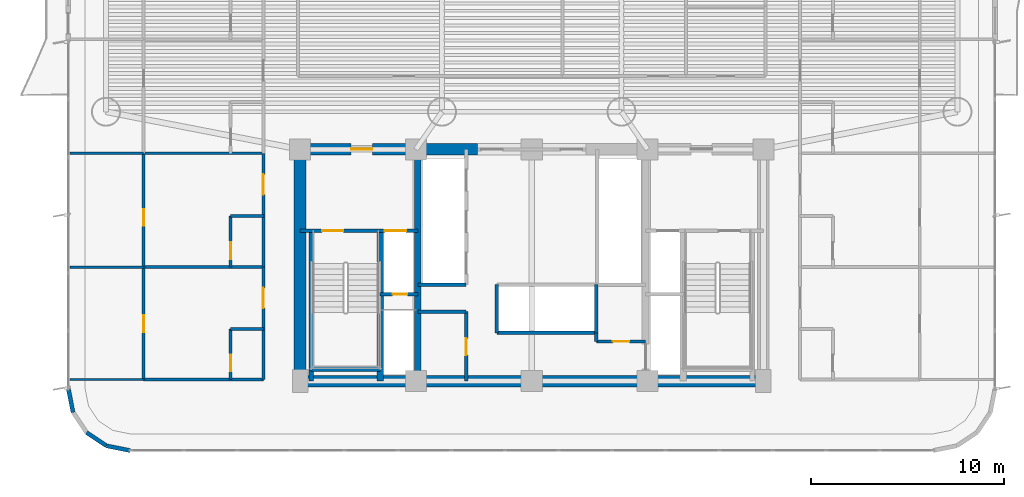
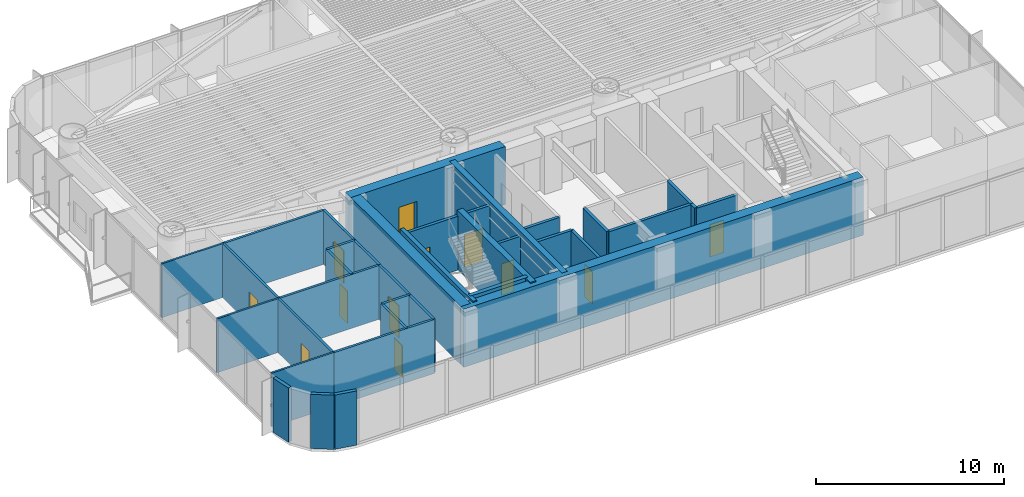
# One storey, part 10 of 18: 36 walls, 12 doors, 12 openings.
"""IFC4 building model written with IfcOpenShell, lengths in metres."""

from ifc_helpers import new_model, si_unit, direction, frame, frame_2d, origin, origin_2d, place, context, subcontext, project, spatial, rectangle, extrude, source, transform, mapped, material, layer, layer_set, type_object, element, fill, save


model = new_model("IFC4")

# Units and contexts
model_context = context("Model", 3, precision=1e-05, world=origin(), true_north=direction((0.0, 1.0)))
body_context = subcontext(model_context, "Body", "Model", "MODEL_VIEW")
ifc_project = project(units=[si_unit("LENGTHUNIT", "METRE"), si_unit("AREAUNIT", "SQUARE_METRE"), si_unit("VOLUMEUNIT", "CUBIC_METRE"), si_unit("PLANEANGLEUNIT", "RADIAN"), si_unit("MASSUNIT", "GRAM", prefix="KILO")], contexts=[model_context])

# Site, building, storey
site_placement = place(None, origin())
site = spatial("IfcSite", under=ifc_project, at=site_placement, CompositionType="ELEMENT")
building_placement = place(site_placement, origin())
building = spatial("IfcBuilding", under=site, at=building_placement, Name="Brelvock Crest Care Tower", CompositionType="ELEMENT")
storey_placement = place(building_placement, frame((0.0, 0.0, 38.340087890625)))
storey = spatial("IfcBuildingStorey", under=building, at=storey_placement, Name="L09", CompositionType="ELEMENT", Elevation=38.340087890625)

# Walls
ifc_material_1 = material(Name="Concrete S80 (80 MPa)", Category="concrete")
ifc_layer_1 = layer(ifc_material_1, 0.60009765625, Name="WL-CS1")
ifc_layer_set_1 = layer_set([ifc_layer_1], Name="Concrete S80 (80 MPa)")
wall_type_1 = type_object("IfcWallType", Name="WL-CS1", PredefinedType="SHEAR", material=ifc_layer_set_1)
wall_1_placement = place(storey_placement, frame((48.300048828125, 6.0, 0.0), z_axis=(0.0, 0.0, 1.0), x_axis=(-1.0, 0.0, 0.0)))
element("IfcWall", 1, at=wall_1_placement, inside=storey, type_object=wall_type_1, Name="L09 Core South Shear Wall", PredefinedType="SHEAR", context=body_context, shape_type="SweptSolid", body=[
    extrude(rectangle(XDim=24.60009765625, YDim=0.60009765625, at=frame_2d((12.300048828125, 0.0))), origin(), (0.0, 0.0, 1.0), 3.780029296875),
])
wall_2_placement = place(storey_placement, frame((24.0, 6.0, 0.0), z_axis=(0.0, 0.0, 1.0), x_axis=(0.0, 1.0, 0.0)))
element("IfcWall", 2, at=wall_2_placement, inside=storey, type_object=wall_type_1, Name="L09 Core West Shear Wall", PredefinedType="SHEAR", context=body_context, shape_type="SweptSolid", body=[
    extrude(rectangle(XDim=12.0, YDim=0.60009765625, at=frame_2d((6.0, 0.0))), origin(), (0.0, 0.0, 1.0), 3.780029296875),
])

# Wall, opening, door
wall_3_placement = place(storey_placement, frame((23.699951171875, 18.0, 0.0), z_axis=(0.0, 0.0, 1.0), x_axis=(1.0, 0.0, 0.0)))
wall_3 = element("IfcWall", 3, at=wall_3_placement, inside=storey, type_object=wall_type_1, Name="L09 Core North-West Shear Wall", PredefinedType="SHEAR", context=body_context, shape_type="SweptSolid", body=[
    extrude(rectangle(XDim=9.5, YDim=0.60009765625, at=frame_2d((4.75, 0.0))), origin(), (0.0, 0.0, 1.0), 3.780029296875),
])
opening_1_placement = place(wall_3_placement, frame((2.949951171875, 0.0, 0.0)))
opening_1 = element("IfcOpeningElement", 4, at=opening_1_placement, cuts=wall_3, Name="Opening FD-1", PredefinedType="OPENING", context=body_context, shape_type="SweptSolid", body=[
    extrude(rectangle(XDim=1.10009765625, YDim=2.10009765625, at=origin_2d()), frame((0.550048828125, 0.31005859375, 1.050048828125), z_axis=(0.0, -1.0, 0.0), x_axis=(1.0, 0.0, 0.0)), (0.0, 0.0, 1.0), 0.6201171875),
])
ifc_material_2 = material(Name="Steel Grade 350", Category="steel")
door_type_1 = type_object("IfcDoorType", Name="DR-FFL1", OperationType="NOTDEFINED", PredefinedType="DOOR", material=ifc_material_2)
shared_shape_1 = source(origin(), body_context, "Body", "SweptSolid", [
    extrude(rectangle(XDim=1.10009765625, YDim=2.10009765625, at=origin_2d()), frame((0.550048828125, 0.02490234375, 1.050048828125), z_axis=(0.0, -1.0, 0.0), x_axis=(1.0, 0.0, 0.0)), (0.0, 0.0, 1.0), 0.050048828125),
])
door_1_placement = place(opening_1_placement, origin())
door_1 = element("IfcDoor", 5, at=door_1_placement, inside=storey, type_object=door_type_1, Name="L09 Firefighting Lobby FFL-1 Exit Door", OperationType="SINGLE_SWING_LEFT", OverallHeight=2.10009765625, OverallWidth=1.10009765625, PredefinedType="DOOR", context=body_context, shape_type="MappedRepresentation", body=[
    mapped(shared_shape_1, transform((0.0, 0.0, 0.0), x_axis=(1.0, 0.0, 0.0), y_axis=(0.0, 1.0, 0.0), z_axis=(0.0, 0.0, 1.0), scale=1.0)),
])
fill(opening_1, door_1)

# Walls
ifc_layer_2 = layer(ifc_material_1, 0.35009765625, Name="WL-CS5")
ifc_layer_set_2 = layer_set([ifc_layer_2], Name="Concrete S80 (80 MPa)")
wall_type_2 = type_object("IfcWallType", Name="WL-CS5", PredefinedType="SHEAR", material=ifc_layer_set_2)
wall_4_placement = place(storey_placement, frame((30.10009765625, 6.0, 0.0), z_axis=(0.0, 0.0, 1.0), x_axis=(0.0, 1.0, 0.0)))
element("IfcWall", 6, at=wall_4_placement, inside=storey, type_object=wall_type_2, Name="L09 Core Internal Web Wall West", PredefinedType="SHEAR", context=body_context, shape_type="SweptSolid", body=[
    extrude(rectangle(XDim=12.0, YDim=0.35009765625, at=frame_2d((6.0, 0.0))), origin(), (0.0, 0.0, 1.0), 3.780029296875),
])
wall_5_placement = place(storey_placement, frame((28.14990234375, 6.0, 0.0), z_axis=(0.0, 0.0, 1.0), x_axis=(0.0, 1.0, 0.0)))
element("IfcWall", 7, at=wall_5_placement, inside=storey, type_object=wall_type_2, Name="L09 Core Stair ST-1 East Shear Wall", PredefinedType="SHEAR", context=body_context, shape_type="SweptSolid", body=[
    extrude(rectangle(XDim=7.780029296875, YDim=0.35009765625, at=frame_2d((3.89013671875, 0.0))), origin(), (0.0, 0.0, 1.0), 3.849853515625),
])
ifc_layer_3 = layer(ifc_material_1, 0.25, Name="WL-CS6")
ifc_layer_set_3 = layer_set([ifc_layer_3], Name="Concrete S80 (80 MPa)")
wall_type_3 = type_object("IfcWallType", Name="WL-CS6", PredefinedType="SHEAR", material=ifc_layer_set_3)
wall_6_placement = place(storey_placement, frame((24.580078125, 6.0, 0.0), z_axis=(0.0, 0.0, 1.0), x_axis=(0.0, 1.0, 0.0)))
element("IfcWall", 8, at=wall_6_placement, inside=storey, type_object=wall_type_3, Name="L09 Core Stair ST-1 West Shear Wall", PredefinedType="SHEAR", context=body_context, shape_type="SweptSolid", body=[
    extrude(rectangle(XDim=7.780029296875, YDim=0.25, at=frame_2d((3.89013671875, 0.0))), origin(), (0.0, 0.0, 1.0), 3.849853515625),
])
wall_7_placement = place(storey_placement, frame((24.580078125, 6.6201171875, 0.0), z_axis=(0.0, 0.0, 1.0), x_axis=(1.0, 0.0, 0.0)))
element("IfcWall", 9, at=wall_7_placement, inside=storey, type_object=wall_type_3, Name="L09 Core Stair ST-1 South Shear Wall", PredefinedType="SHEAR", context=body_context, shape_type="SweptSolid", body=[
    extrude(rectangle(XDim=3.56982421875, YDim=0.25, at=frame_2d((1.784912109375, 0.0))), origin(), (0.0, 0.0, 1.0), 3.849853515625),
])
ifc_material_3 = material(Name="Precast concrete N40 (40 MPa)", Category="concrete")
ifc_layer_4 = layer(ifc_material_3, 0.215087890625, Name="WL-EX2")
ifc_layer_set_4 = layer_set([ifc_layer_4], Name="Precast concrete N40 (40 MPa)")
wall_type_4 = type_object("IfcWallType", Name="WL-EX2", PredefinedType="SOLIDWALL", material=ifc_layer_set_4)
for number, where, z_axis, x_axis, name in (
    (10, (15.199951171875, 2.39990234375, 0.0), (0.0, 0.0, 1.0), (-0.980775717779, 0.195138390419, 0.0), "L09 Rounded Corner Wall 09"),
    (11, (13.975341796875, 2.6435546875, 0.0), (0.0, 0.0, 1.0), (-0.831387912822, 0.555692485475, 0.0), "L09 Rounded Corner Wall 10"),
    (12, (12.24365234375, 4.37548828125, 0.0), (0.0, 0.0, 1.0), (-0.195138390419, 0.980775717779, 0.0), "L09 Rounded Corner Wall 12"),
):
    element("IfcWall", number, at=place(storey_placement, frame(where, z_axis=z_axis, x_axis=x_axis)), inside=storey, type_object=wall_type_4, Name=name, PredefinedType="SOLIDWALL", context=body_context, shape_type="SweptSolid", body=[
        extrude(rectangle(XDim=1.24853515625, YDim=0.215087890625, at=frame_2d((0.624267578125, 0.0))), origin(), (0.0, 0.0, 1.0), 3.530029296875),
    ])
ifc_material_4 = material(Name="Masonry Blockwork Acoustic Partition", Category="masonry")
ifc_layer_5 = layer(ifc_material_4, 0.14990234375, Name="WL-INT1")
ifc_layer_set_5 = layer_set([ifc_layer_5], Name="Masonry Blockwork Acoustic Partition")
wall_type_5 = type_object("IfcWallType", Name="WL-INT1", PredefinedType="PARTITIONING", material=ifc_layer_set_5)
for number, where, z_axis, x_axis, name in (
    (13, (15.89990234375, 6.080078125, 0.0), (0.0, 0.0, 1.0), (1.0, 0.0, 0.0), "L09 Interior Wall WL-BX-L09-CS-WC1-S"),
    (14, (15.89990234375, 11.89990234375, 0.0), (0.0, 0.0, 1.0), (1.0, 0.0, 0.0), "L09 Interior Wall WL-BX-L09-CS-WC1-N"),
    (15, (15.89990234375, 17.800048828125, 0.0), (0.0, 0.0, 1.0), (1.0, 0.0, 0.0), "L09 Interior Wall WL-BX-L09-CS-WC2-N"),
):
    element("IfcWall", number, at=place(storey_placement, frame(where, z_axis=z_axis, x_axis=x_axis)), inside=storey, type_object=wall_type_5, Name=name, PredefinedType="PARTITIONING", context=body_context, shape_type="SweptSolid", body=[
        extrude(rectangle(XDim=6.2001953125, YDim=0.14990234375, at=frame_2d((3.10009765625, 0.0))), origin(), (0.0, 0.0, 1.0), 3.5),
    ])

# Wall, opening, door
wall_8_placement = place(storey_placement, frame((15.89990234375, 6.080078125, 0.0), z_axis=(0.0, 0.0, 1.0), x_axis=(0.0, 1.0, 0.0)))
wall_8 = element("IfcWall", 16, at=wall_8_placement, inside=storey, type_object=wall_type_5, Name="L09 Interior Wall WL-RM-L09-WC1S", PredefinedType="PARTITIONING", context=body_context, shape_type="SweptSolid", body=[
    extrude(rectangle(XDim=5.81982421875, YDim=0.14990234375, at=frame_2d((2.909912109375, 0.0))), origin(), (0.0, 0.0, 1.0), 3.5),
])
opening_2_placement = place(wall_8_placement, frame((2.4599609375, 0.0, 0.0)))
opening_2 = element("IfcOpeningElement", 17, at=opening_2_placement, cuts=wall_8, Name="Opening ID-1", PredefinedType="OPENING", context=body_context, shape_type="SweptSolid", body=[
    extrude(rectangle(XDim=0.860107421875, YDim=2.10009765625, at=origin_2d()), frame((0.43017578125, 0.0849609375, 1.050048828125), z_axis=(0.0, -1.0, 0.0), x_axis=(1.0, 0.0, 0.0)), (0.0, 0.0, 1.0), 0.169921875),
])
ifc_material_5 = material(Name="Engineered Hardwood Timber", Category="wood")
door_type_2 = type_object("IfcDoorType", Name="DR-INT1", OperationType="NOTDEFINED", PredefinedType="DOOR", material=ifc_material_5)
shared_shape_2 = source(origin(), body_context, "Body", "SweptSolid", [
    extrude(rectangle(XDim=0.860107421875, YDim=2.10009765625, at=origin_2d()), frame((0.43017578125, 0.02490234375, 1.050048828125), z_axis=(0.0, -1.0, 0.0), x_axis=(1.0, 0.0, 0.0)), (0.0, 0.0, 1.0), 0.050048828125),
])
door_2_placement = place(opening_2_placement, origin())
door_2 = element("IfcDoor", 18, at=door_2_placement, inside=storey, type_object=door_type_2, Name="L09 Assisted Care Mobility Store Door WC1S", OperationType="SINGLE_SWING_LEFT", OverallHeight=2.10009765625, OverallWidth=0.860107421875, PredefinedType="DOOR", context=body_context, shape_type="MappedRepresentation", body=[
    mapped(shared_shape_2, transform((0.0, 0.0, 0.0), x_axis=(1.0, 0.0, 0.0), y_axis=(0.0, 1.0, 0.0), z_axis=(0.0, 0.0, 1.0), scale=1.0)),
])
fill(opening_2, door_2)

wall_9_placement = place(storey_placement, frame((15.89990234375, 11.89990234375, 0.0), z_axis=(0.0, 0.0, 1.0), x_axis=(0.0, 1.0, 0.0)))
wall_9 = element("IfcWall", 19, at=wall_9_placement, inside=storey, type_object=wall_type_5, Name="L09 Interior Wall WL-RM-L09-WC2S", PredefinedType="PARTITIONING", context=body_context, shape_type="SweptSolid", body=[
    extrude(rectangle(XDim=5.900146484375, YDim=0.14990234375, at=frame_2d((2.9501953125, 0.0))), origin(), (0.0, 0.0, 1.0), 3.5),
])
opening_3_placement = place(wall_9_placement, frame((2.139892578125, 0.0, 0.0)))
opening_3 = element("IfcOpeningElement", 20, at=opening_3_placement, cuts=wall_9, Name="Opening ID-1", PredefinedType="OPENING", context=body_context, shape_type="SweptSolid", body=[
    extrude(rectangle(XDim=0.860107421875, YDim=2.10009765625, at=origin_2d()), frame((0.43017578125, 0.0849609375, 1.050048828125), z_axis=(0.0, -1.0, 0.0), x_axis=(1.0, 0.0, 0.0)), (0.0, 0.0, 1.0), 0.169921875),
])
door_3_placement = place(opening_3_placement, origin())
door_3 = element("IfcDoor", 21, at=door_3_placement, inside=storey, type_object=door_type_2, Name="L09 Assisted Care Mobility Store Door WC2S", OperationType="SINGLE_SWING_LEFT", OverallHeight=2.10009765625, OverallWidth=0.860107421875, PredefinedType="DOOR", context=body_context, shape_type="MappedRepresentation", body=[
    mapped(shared_shape_2, transform((0.0, 0.0, 0.0), x_axis=(1.0, 0.0, 0.0), y_axis=(0.0, 1.0, 0.0), z_axis=(0.0, 0.0, 1.0), scale=1.0)),
])
fill(opening_3, door_3)

wall_10_placement = place(storey_placement, frame((22.10009765625, 8.698974609375, 0.0), z_axis=(0.0, 0.0, 1.0), x_axis=(0.0, 1.0, 0.0)))
wall_10 = element("IfcWall", 22, at=wall_10_placement, inside=storey, type_object=wall_type_5, Name="L09 Interior Wall WL-CENT-L09-WC1", PredefinedType="PARTITIONING", context=body_context, shape_type="SweptSolid", body=[
    extrude(rectangle(XDim=3.200927734375, YDim=0.14990234375, at=frame_2d((1.6005859375, 0.0))), origin(), (0.0, 0.0, 1.0), 3.5),
])
opening_4_placement = place(wall_10_placement, frame((1.0810546875, 0.0, 0.0)))
opening_4 = element("IfcOpeningElement", 23, at=opening_4_placement, cuts=wall_10, Name="Opening CD-1", PredefinedType="OPENING", context=body_context, shape_type="SweptSolid", body=[
    extrude(rectangle(XDim=1.050048828125, YDim=2.10009765625, at=origin_2d()), frame((0.52490234375, 0.0849609375, 1.050048828125), z_axis=(0.0, -1.0, 0.0), x_axis=(1.0, 0.0, 0.0)), (0.0, 0.0, 1.0), 0.169921875),
])
door_type_3 = type_object("IfcDoorType", Name="DR-CARE1", OperationType="NOTDEFINED", PredefinedType="DOOR", material=ifc_material_5)
shared_shape_3 = source(origin(), body_context, "Body", "SweptSolid", [
    extrude(rectangle(XDim=1.050048828125, YDim=2.10009765625, at=origin_2d()), frame((0.52490234375, 0.02490234375, 1.050048828125), z_axis=(0.0, -1.0, 0.0), x_axis=(1.0, 0.0, 0.0)), (0.0, 0.0, 1.0), 0.050048828125),
])
door_4_placement = place(opening_4_placement, origin())
door_4 = element("IfcDoor", 24, at=door_4_placement, inside=storey, type_object=door_type_3, Name="L09 Care Suite Door WC1", OperationType="SINGLE_SWING_LEFT", OverallHeight=2.10009765625, OverallWidth=1.050048828125, PredefinedType="DOOR", context=body_context, shape_type="MappedRepresentation", body=[
    mapped(shared_shape_3, transform((0.0, 0.0, 0.0), x_axis=(1.0, 0.0, 0.0), y_axis=(0.0, 1.0, 0.0), z_axis=(0.0, 0.0, 1.0), scale=1.0)),
])
fill(opening_4, door_4)

wall_11_placement = place(storey_placement, frame((22.10009765625, 14.554931640625, 0.0), z_axis=(0.0, 0.0, 1.0), x_axis=(0.0, 1.0, 0.0)))
wall_11 = element("IfcWall", 25, at=wall_11_placement, inside=storey, type_object=wall_type_5, Name="L09 Interior Wall WL-CENT-L09-WC2", PredefinedType="PARTITIONING", context=body_context, shape_type="SweptSolid", body=[
    extrude(rectangle(XDim=3.2451171875, YDim=0.14990234375, at=frame_2d((1.62255859375, 0.0))), origin(), (0.0, 0.0, 1.0), 3.5),
])
opening_5_placement = place(wall_11_placement, frame((1.10302734375, 0.0, 0.0)))
opening_5 = element("IfcOpeningElement", 26, at=opening_5_placement, cuts=wall_11, Name="Opening CD-1", PredefinedType="OPENING", context=body_context, shape_type="SweptSolid", body=[
    extrude(rectangle(XDim=1.050048828125, YDim=2.10009765625, at=origin_2d()), frame((0.52490234375, 0.0849609375, 1.050048828125), z_axis=(0.0, -1.0, 0.0), x_axis=(1.0, 0.0, 0.0)), (0.0, 0.0, 1.0), 0.169921875),
])
door_5_placement = place(opening_5_placement, origin())
door_5 = element("IfcDoor", 27, at=door_5_placement, inside=storey, type_object=door_type_3, Name="L09 Care Suite Door WC2", OperationType="SINGLE_SWING_LEFT", OverallHeight=2.10009765625, OverallWidth=1.050048828125, PredefinedType="DOOR", context=body_context, shape_type="MappedRepresentation", body=[
    mapped(shared_shape_3, transform((0.0, 0.0, 0.0), x_axis=(1.0, 0.0, 0.0), y_axis=(0.0, 1.0, 0.0), z_axis=(0.0, 0.0, 1.0), scale=1.0)),
])
fill(opening_5, door_5)

# Walls
ifc_material_6 = material(Name="Gypsum Plasterboard Partition", Category="gypsum")
ifc_layer_6 = layer(ifc_material_6, 0.1201171875, Name="WL-INT2")
ifc_layer_set_6 = layer_set([ifc_layer_6], Name="Gypsum Plasterboard Partition")
wall_type_6 = type_object("IfcWallType", Name="WL-INT2", PredefinedType="PARTITIONING", material=ifc_layer_set_6)
for number, where, z_axis, x_axis, name in (
    (28, (12.080078125, 6.080078125, 0.0), (0.0, 0.0, 1.0), (1.0, 0.0, 0.0), "L09 Interior Wall WL-BX-L09-WC1S-S"),
    (29, (12.080078125, 11.89990234375, 0.0), (0.0, 0.0, 1.0), (1.0, 0.0, 0.0), "L09 Interior Wall WL-BX-L09-WC1S-N"),
    (30, (12.080078125, 17.800048828125, 0.0), (0.0, 0.0, 1.0), (1.0, 0.0, 0.0), "L09 Interior Wall WL-BX-L09-WC2S-N"),
):
    element("IfcWall", number, at=place(storey_placement, frame(where, z_axis=z_axis, x_axis=x_axis)), inside=storey, type_object=wall_type_6, Name=name, PredefinedType="PARTITIONING", context=body_context, shape_type="SweptSolid", body=[
        extrude(rectangle(XDim=3.81982421875, YDim=0.1201171875, at=frame_2d((1.909912109375, 0.0))), origin(), (0.0, 0.0, 1.0), 3.5),
    ])
ifc_layer_7 = layer(ifc_material_6, 0.159912109375, Name="WL-PLM1")
ifc_layer_set_7 = layer_set([ifc_layer_7], Name="Gypsum Plasterboard Partition")
wall_type_7 = type_object("IfcWallType", Name="WL-PLM1", PredefinedType="PLUMBINGWALL", material=ifc_layer_set_7)
for number, where, z_axis, x_axis, name in (
    (31, (20.39990234375, 8.698974609375, 0.0), (0.0, 0.0, 1.0), (1.0, 0.0, 0.0), "L09 Interior Wall WL-CENS2-L09-WC1"),
    (32, (20.39990234375, 14.554931640625, 0.0), (0.0, 0.0, 1.0), (1.0, 0.0, 0.0), "L09 Interior Wall WL-CENS2-L09-WC2"),
):
    element("IfcWall", number, at=place(storey_placement, frame(where, z_axis=z_axis, x_axis=x_axis)), inside=storey, type_object=wall_type_7, Name=name, PredefinedType="PLUMBINGWALL", context=body_context, shape_type="SweptSolid", body=[
        extrude(rectangle(XDim=1.7001953125, YDim=0.159912109375, at=frame_2d((0.85009765625, 0.0))), origin(), (0.0, 0.0, 1.0), 3.5),
    ])

# Wall, opening, door
wall_12_placement = place(storey_placement, frame((20.39990234375, 6.080078125, 0.0), z_axis=(0.0, 0.0, 1.0), x_axis=(0.0, 1.0, 0.0)))
wall_12 = element("IfcWall", 33, at=wall_12_placement, inside=storey, type_object=wall_type_7, Name="L09 Interior Wall WL-CENS1-L09-WC1", PredefinedType="PLUMBINGWALL", context=body_context, shape_type="SweptSolid", body=[
    extrude(rectangle(XDim=2.618896484375, YDim=0.159912109375, at=frame_2d((1.3095703125, 0.0))), origin(), (0.0, 0.0, 1.0), 3.5),
])
opening_6_placement = place(wall_12_placement, frame((0.419921875, 0.0, 0.0)))
opening_6 = element("IfcOpeningElement", 34, at=opening_6_placement, cuts=wall_12, Name="Opening WD-1", PredefinedType="OPENING", context=body_context, shape_type="SweptSolid", body=[
    extrude(rectangle(XDim=0.860107421875, YDim=2.10009765625, at=origin_2d()), frame((0.43017578125, 0.08984375, 1.050048828125), z_axis=(0.0, -1.0, 0.0), x_axis=(1.0, 0.0, 0.0)), (0.0, 0.0, 1.0), 0.179931640625),
])
door_type_4 = type_object("IfcDoorType", Name="DR-WC1", OperationType="NOTDEFINED", PredefinedType="DOOR", material=ifc_material_5)
shared_shape_4 = source(origin(), body_context, "Body", "SweptSolid", [
    extrude(rectangle(XDim=0.860107421875, YDim=2.10009765625, at=origin_2d()), frame((0.43017578125, 0.02490234375, 1.050048828125), z_axis=(0.0, -1.0, 0.0), x_axis=(1.0, 0.0, 0.0)), (0.0, 0.0, 1.0), 0.050048828125),
])
door_6_placement = place(opening_6_placement, origin())
door_6 = element("IfcDoor", 35, at=door_6_placement, inside=storey, type_object=door_type_4, Name="L09 Care En-Suite Door WC1", OperationType="SINGLE_SWING_LEFT", OverallHeight=2.10009765625, OverallWidth=0.860107421875, PredefinedType="DOOR", context=body_context, shape_type="MappedRepresentation", body=[
    mapped(shared_shape_4, transform((0.0, 0.0, 0.0), x_axis=(1.0, 0.0, 0.0), y_axis=(0.0, 1.0, 0.0), z_axis=(0.0, 0.0, 1.0), scale=1.0)),
])
fill(opening_6, door_6)

wall_13_placement = place(storey_placement, frame((20.39990234375, 11.89990234375, 0.0), z_axis=(0.0, 0.0, 1.0), x_axis=(0.0, 1.0, 0.0)))
wall_13 = element("IfcWall", 36, at=wall_13_placement, inside=storey, type_object=wall_type_7, Name="L09 Interior Wall WL-CENS1-L09-WC2", PredefinedType="PLUMBINGWALL", context=body_context, shape_type="SweptSolid", body=[
    extrude(rectangle(XDim=2.655029296875, YDim=0.159912109375, at=frame_2d((1.32763671875, 0.0))), origin(), (0.0, 0.0, 1.0), 3.5),
])
opening_7_placement = place(wall_13_placement, frame((0.419921875, 0.0, 0.0)))
opening_7 = element("IfcOpeningElement", 37, at=opening_7_placement, cuts=wall_13, Name="Opening WD-1", PredefinedType="OPENING", context=body_context, shape_type="SweptSolid", body=[
    extrude(rectangle(XDim=0.860107421875, YDim=2.10009765625, at=origin_2d()), frame((0.43017578125, 0.08984375, 1.050048828125), z_axis=(0.0, -1.0, 0.0), x_axis=(1.0, 0.0, 0.0)), (0.0, 0.0, 1.0), 0.179931640625),
])
door_7_placement = place(opening_7_placement, origin())
door_7 = element("IfcDoor", 38, at=door_7_placement, inside=storey, type_object=door_type_4, Name="L09 Care En-Suite Door WC2", OperationType="SINGLE_SWING_LEFT", OverallHeight=2.10009765625, OverallWidth=0.860107421875, PredefinedType="DOOR", context=body_context, shape_type="MappedRepresentation", body=[
    mapped(shared_shape_4, transform((0.0, 0.0, 0.0), x_axis=(1.0, 0.0, 0.0), y_axis=(0.0, 1.0, 0.0), z_axis=(0.0, 0.0, 1.0), scale=1.0)),
])
fill(opening_7, door_7)

# Walls
wall_14_placement = place(storey_placement, frame((22.10009765625, 6.080078125, 0.0), z_axis=(0.0, 0.0, 1.0), x_axis=(0.0, 1.0, 0.0)))
element("IfcWall", 39, at=wall_14_placement, inside=storey, type_object=wall_type_7, Name="L09 Interior Wall WL-CENS0-L09-WC1", PredefinedType="PLUMBINGWALL", context=body_context, shape_type="SweptSolid", body=[
    extrude(rectangle(XDim=2.618896484375, YDim=0.159912109375, at=frame_2d((1.3095703125, 0.0))), origin(), (0.0, 0.0, 1.0), 3.5),
])
wall_15_placement = place(storey_placement, frame((22.10009765625, 11.89990234375, 0.0), z_axis=(0.0, 0.0, 1.0), x_axis=(0.0, 1.0, 0.0)))
element("IfcWall", 40, at=wall_15_placement, inside=storey, type_object=wall_type_7, Name="L09 Interior Wall WL-CENS0-L09-WC2", PredefinedType="PLUMBINGWALL", context=body_context, shape_type="SweptSolid", body=[
    extrude(rectangle(XDim=2.655029296875, YDim=0.159912109375, at=frame_2d((1.32763671875, 0.0))), origin(), (0.0, 0.0, 1.0), 3.5),
])
ifc_layer_8 = layer(ifc_material_4, 0.179931640625, Name="WL-SHF1")
ifc_layer_set_8 = layer_set([ifc_layer_8], Name="Masonry Blockwork Acoustic Partition")
wall_type_8 = type_object("IfcWallType", Name="WL-SHF1", PredefinedType="PARTITIONING", material=ifc_layer_set_8)
wall_16_placement = place(storey_placement, frame((34.199951171875, 8.5, 0.0), z_axis=(0.0, 0.0, 1.0), x_axis=(1.0, 0.0, 0.0)))
element("IfcWall", 41, at=wall_16_placement, inside=storey, type_object=wall_type_8, Name="L09 Interior Wall WL-PLM-S-L09", PredefinedType="PARTITIONING", context=body_context, shape_type="SweptSolid", body=[
    extrude(rectangle(XDim=5.150146484375, YDim=0.179931640625, at=frame_2d((2.5751953125, 0.0))), origin(), (0.0, 0.0, 1.0), 3.5),
])
for number, where, z_axis, x_axis, name in (
    (42, (34.199951171875, 8.5, 0.0), (0.0, 0.0, 1.0), (0.0, 1.0, 0.0), "L09 Interior Wall WL-PLM-W-L09"),
    (43, (39.35009765625, 8.5, 0.0), (0.0, 0.0, 1.0), (0.0, 1.0, 0.0), "L09 Interior Wall WL-PLM-E-L09"),
    (44, (30.10009765625, 10.97998046875, 0.0), (0.0, 0.0, 1.0), (1.0, 0.0, 0.0), "L09 Interior Wall WL-CSBW-N-L09"),
    (45, (30.10009765625, 9.60009765625, 0.0), (0.0, 0.0, 1.0), (1.0, 0.0, 0.0), "L09 Interior Wall WL-CSBW-S1-L09"),
):
    element("IfcWall", number, at=place(storey_placement, frame(where, z_axis=z_axis, x_axis=x_axis)), inside=storey, type_object=wall_type_8, Name=name, PredefinedType="PARTITIONING", context=body_context, shape_type="SweptSolid", body=[
        extrude(rectangle(XDim=2.5, YDim=0.179931640625, at=frame_2d((1.25, 0.0))), origin(), (0.0, 0.0, 1.0), 3.5),
    ])

# Wall, opening, door
wall_17_placement = place(storey_placement, frame((32.60009765625, 6.0, 0.0), z_axis=(0.0, 0.0, 1.0), x_axis=(0.0, 1.0, 0.0)))
wall_17 = element("IfcWall", 46, at=wall_17_placement, inside=storey, type_object=wall_type_8, Name="L09 Interior Wall WL-CSBW-E-L09", PredefinedType="PARTITIONING", context=body_context, shape_type="SweptSolid", body=[
    extrude(rectangle(XDim=3.60009765625, YDim=0.179931640625, at=frame_2d((1.800048828125, 0.0))), origin(), (0.0, 0.0, 1.0), 3.5),
])
opening_8_placement = place(wall_17_placement, frame((1.35009765625, 0.0, 0.0)))
opening_8 = element("IfcOpeningElement", 47, at=opening_8_placement, cuts=wall_17, Name="Opening ID-1", PredefinedType="OPENING", context=body_context, shape_type="SweptSolid", body=[
    extrude(rectangle(XDim=0.860107421875, YDim=2.10009765625, at=origin_2d()), frame((0.43017578125, 0.10009765625, 1.050048828125), z_axis=(0.0, -1.0, 0.0), x_axis=(1.0, 0.0, 0.0)), (0.0, 0.0, 1.0), 0.199951171875),
])
door_8_placement = place(opening_8_placement, origin())
door_8 = element("IfcDoor", 48, at=door_8_placement, inside=storey, type_object=door_type_2, Name="DR-CSBW-L09", OperationType="SINGLE_SWING_LEFT", OverallHeight=2.10009765625, OverallWidth=0.860107421875, PredefinedType="DOOR", context=body_context, shape_type="MappedRepresentation", body=[
    mapped(shared_shape_2, transform((0.0, 0.0, 0.0), x_axis=(1.0, 0.0, 0.0), y_axis=(0.0, 1.0, 0.0), z_axis=(0.0, 0.0, 1.0), scale=1.0)),
])
fill(opening_8, door_8)

# Wall
wall_18_placement = place(storey_placement, frame((39.35009765625, 8.050048828125, 0.0), z_axis=(0.0, 0.0, 1.0), x_axis=(0.0, 1.0, 0.0)))
element("IfcWall", 49, at=wall_18_placement, inside=storey, type_object=wall_type_8, Name="L09 Interior Wall WL-CSBE-W-L09", PredefinedType="PARTITIONING", context=body_context, shape_type="SweptSolid", body=[
    extrude(rectangle(XDim=0.449951171875, YDim=0.179931640625, at=frame_2d((0.22509765625, 0.0))), origin(), (0.0, 0.0, 1.0), 3.5),
])

# Wall, opening, door
wall_19_placement = place(storey_placement, frame((39.35009765625, 8.050048828125, 0.0), z_axis=(0.0, 0.0, 1.0), x_axis=(1.0, 0.0, 0.0)))
wall_19 = element("IfcWall", 50, at=wall_19_placement, inside=storey, type_object=wall_type_8, Name="L09 Interior Wall WL-CSBE-S-L09", PredefinedType="PARTITIONING", context=body_context, shape_type="SweptSolid", body=[
    extrude(rectangle(XDim=2.5498046875, YDim=0.179931640625, at=frame_2d((1.27490234375, 0.0))), origin(), (0.0, 0.0, 1.0), 3.5),
])
opening_9_placement = place(wall_19_placement, frame((0.85009765625, 0.0, 0.0)))
opening_9 = element("IfcOpeningElement", 51, at=opening_9_placement, cuts=wall_19, Name="Opening ID-1", PredefinedType="OPENING", context=body_context, shape_type="SweptSolid", body=[
    extrude(rectangle(XDim=0.860107421875, YDim=2.10009765625, at=origin_2d()), frame((0.43017578125, 0.10009765625, 1.050048828125), z_axis=(0.0, -1.0, 0.0), x_axis=(1.0, 0.0, 0.0)), (0.0, 0.0, 1.0), 0.199951171875),
])
door_9_placement = place(opening_9_placement, origin())
door_9 = element("IfcDoor", 52, at=door_9_placement, inside=storey, type_object=door_type_2, Name="DR-CSBE-L09", OperationType="SINGLE_SWING_LEFT", OverallHeight=2.10009765625, OverallWidth=0.860107421875, PredefinedType="DOOR", context=body_context, shape_type="MappedRepresentation", body=[
    mapped(shared_shape_2, transform((0.0, 0.0, 0.0), x_axis=(1.0, 0.0, 0.0), y_axis=(0.0, 1.0, 0.0), z_axis=(0.0, 0.0, 1.0), scale=1.0)),
])
fill(opening_9, door_9)

# Wall, openings, doors
wall_20_placement = place(storey_placement, frame((24.0, 13.780029296875, 0.0), z_axis=(0.0, 0.0, 1.0), x_axis=(1.0, 0.0, 0.0)))
wall_20 = element("IfcWall", 53, at=wall_20_placement, inside=storey, type_object=wall_type_8, Name="L09 Interior Wall WL-ST1-N-L09", PredefinedType="PARTITIONING", context=body_context, shape_type="SweptSolid", body=[
    extrude(rectangle(XDim=6.10009765625, YDim=0.179931640625, at=frame_2d((3.050048828125, 0.0))), origin(), (0.0, 0.0, 1.0), 3.5),
])
opening_10_placement = place(wall_20_placement, frame((1.14990234375, 0.0, 0.0)))
opening_10 = element("IfcOpeningElement", 54, at=opening_10_placement, cuts=wall_20, Name="Opening SD-1", PredefinedType="OPENING", context=body_context, shape_type="SweptSolid", body=[
    extrude(rectangle(XDim=1.10009765625, YDim=2.10009765625, at=origin_2d()), frame((0.550048828125, 0.10009765625, 1.050048828125), z_axis=(0.0, -1.0, 0.0), x_axis=(1.0, 0.0, 0.0)), (0.0, 0.0, 1.0), 0.199951171875),
])
opening_11_placement = place(wall_20_placement, frame((4.39990234375, 0.0, 0.0)))
opening_11 = element("IfcOpeningElement", 55, at=opening_11_placement, cuts=wall_20, Name="Opening LD", PredefinedType="OPENING", context=body_context, shape_type="SweptSolid", body=[
    extrude(rectangle(XDim=1.10009765625, YDim=2.10009765625, at=origin_2d()), frame((0.550048828125, 0.10009765625, 1.050048828125), z_axis=(0.0, -1.0, 0.0), x_axis=(1.0, 0.0, 0.0)), (0.0, 0.0, 1.0), 0.199951171875),
])
door_type_5 = type_object("IfcDoorType", Name="DR-ST1", OperationType="NOTDEFINED", PredefinedType="DOOR", material=ifc_material_2)
shared_shape_5 = source(origin(), body_context, "Body", "SweptSolid", [
    extrude(rectangle(XDim=1.10009765625, YDim=2.10009765625, at=origin_2d()), frame((0.550048828125, 0.02490234375, 1.050048828125), z_axis=(0.0, -1.0, 0.0), x_axis=(1.0, 0.0, 0.0)), (0.0, 0.0, 1.0), 0.050048828125),
])
door_10_placement = place(opening_10_placement, origin())
door_10 = element("IfcDoor", 56, at=door_10_placement, inside=storey, type_object=door_type_5, Name="L09 Fire Stair ST-1 Door", OperationType="SINGLE_SWING_LEFT", OverallHeight=2.10009765625, OverallWidth=1.10009765625, PredefinedType="DOOR", context=body_context, shape_type="MappedRepresentation", body=[
    mapped(shared_shape_5, transform((0.0, 0.0, 0.0), x_axis=(1.0, 0.0, 0.0), y_axis=(0.0, 1.0, 0.0), z_axis=(0.0, 0.0, 1.0), scale=1.0)),
])
fill(opening_10, door_10)
door_type_6 = type_object("IfcDoorType", Name="DR-LD1", OperationType="NOTDEFINED", PredefinedType="DOOR", material=ifc_material_2)
shared_shape_6 = source(origin(), body_context, "Body", "SweptSolid", [
    extrude(rectangle(XDim=1.10009765625, YDim=2.10009765625, at=origin_2d()), frame((0.550048828125, 0.02490234375, 1.050048828125), z_axis=(0.0, -1.0, 0.0), x_axis=(1.0, 0.0, 0.0)), (0.0, 0.0, 1.0), 0.050048828125),
])
door_11_placement = place(opening_11_placement, origin())
door_11 = element("IfcDoor", 57, at=door_11_placement, inside=storey, type_object=door_type_6, Name="L09 Firefighting Lift FFL-1 Landing Door", OperationType="SLIDING_TO_LEFT", OverallHeight=2.10009765625, OverallWidth=1.10009765625, PredefinedType="DOOR", context=body_context, shape_type="MappedRepresentation", body=[
    mapped(shared_shape_6, transform((0.0, 0.0, 0.0), x_axis=(1.0, 0.0, 0.0), y_axis=(0.0, 1.0, 0.0), z_axis=(0.0, 0.0, 1.0), scale=1.0)),
])
fill(opening_11, door_11)

# Wall, opening, door
wall_21_placement = place(storey_placement, frame((28.14990234375, 10.5, 0.0), z_axis=(0.0, 0.0, 1.0), x_axis=(1.0, 0.0, 0.0)))
wall_21 = element("IfcWall", 58, at=wall_21_placement, inside=storey, type_object=wall_type_8, Name="L09 Interior Wall WL-FFH1-S-L09", PredefinedType="PARTITIONING", context=body_context, shape_type="SweptSolid", body=[
    extrude(rectangle(XDim=1.9501953125, YDim=0.179931640625, at=frame_2d((0.97509765625, 0.0))), origin(), (0.0, 0.0, 1.0), 3.5),
])
opening_12_placement = place(wall_21_placement, frame((0.64990234375, 0.0, 0.0)))
opening_12 = element("IfcOpeningElement", 59, at=opening_12_placement, cuts=wall_21, Name="Opening RD-1", PredefinedType="OPENING", context=body_context, shape_type="SweptSolid", body=[
    extrude(rectangle(XDim=0.760009765625, YDim=2.050048828125, at=origin_2d()), frame((0.3798828125, 0.10009765625, 1.02490234375), z_axis=(0.0, -1.0, 0.0), x_axis=(1.0, 0.0, 0.0)), (0.0, 0.0, 1.0), 0.199951171875),
])
door_type_7 = type_object("IfcDoorType", Name="DR-RIS1", OperationType="NOTDEFINED", PredefinedType="DOOR", material=ifc_material_2)
shared_shape_7 = source(origin(), body_context, "Body", "SweptSolid", [
    extrude(rectangle(XDim=0.760009765625, YDim=2.050048828125, at=origin_2d()), frame((0.3798828125, 0.02490234375, 1.02490234375), z_axis=(0.0, -1.0, 0.0), x_axis=(1.0, 0.0, 0.0)), (0.0, 0.0, 1.0), 0.050048828125),
])
door_12_placement = place(opening_12_placement, origin())
door_12 = element("IfcDoor", 60, at=door_12_placement, inside=storey, type_object=door_type_7, Name="L09 Wet Fire Riser Access Door", OperationType="SINGLE_SWING_LEFT", OverallHeight=2.050048828125, OverallWidth=0.760009765625, PredefinedType="DOOR", context=body_context, shape_type="MappedRepresentation", body=[
    mapped(shared_shape_7, transform((0.0, 0.0, 0.0), x_axis=(1.0, 0.0, 0.0), y_axis=(0.0, 1.0, 0.0), z_axis=(0.0, 0.0, 1.0), scale=1.0)),
])
fill(opening_12, door_12)

save(model, "model.ifc")
